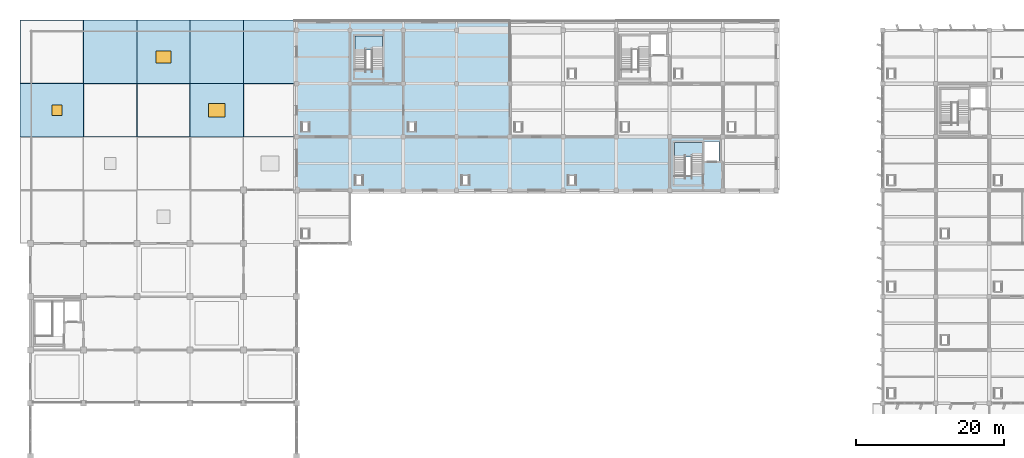
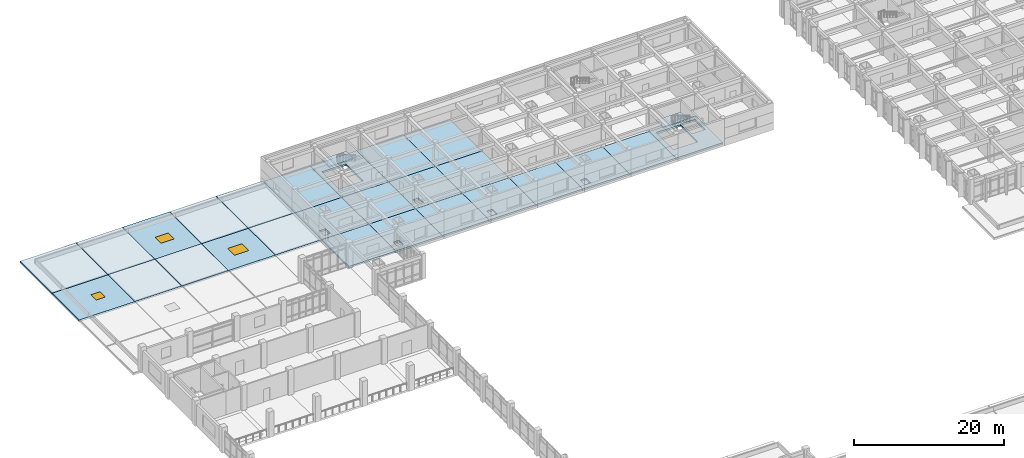
# One storey, part 38 of 62: 28 slabs, 3 windows, 3 openings, 2 elements without a shape of their own.
"""IFC4 building model written with IfcOpenShell, lengths in metres."""

from ifc_helpers import new_model, si_unit, direction, frame, origin, origin_2d, place, context, subcontext, project, spatial, polyline, rectangle, outline, extrude, material, layer, layer_set, type_object, element, fill, aggregate, save


model = new_model("IFC4")

# Units and contexts
model_context = context("Model", 3, precision=1e-05, world=origin(), true_north=direction((0.0, 1.0)))
body_context = subcontext(model_context, "Body", "Model", "MODEL_VIEW")
ifc_project = project(units=[si_unit("LENGTHUNIT", "METRE"), si_unit("AREAUNIT", "SQUARE_METRE"), si_unit("VOLUMEUNIT", "CUBIC_METRE"), si_unit("PLANEANGLEUNIT", "RADIAN"), si_unit("MASSUNIT", "GRAM", prefix="KILO")], contexts=[model_context])

# Site, building, storey
site_placement = place(None, origin())
site = spatial("IfcSite", under=ifc_project, at=site_placement, CompositionType="ELEMENT")
building_placement = place(site_placement, origin())
building = spatial("IfcBuilding", under=site, at=building_placement, Name="Kavelor Marine Aquarium", CompositionType="ELEMENT")
storey_placement = place(building_placement, frame((0.0, 0.0, 13.5)))
storey = spatial("IfcBuildingStorey", under=building, at=storey_placement, Name="L03", CompositionType="ELEMENT", Elevation=13.5)

# Stair, slab
ifc_material_1 = material(Name="Concrete C40/50", Category="concrete")
stair_type = type_object("IfcStairType", Name="ST-T4", PredefinedType="HALF_TURN_STAIR", material=ifc_material_1)
stair_1_placement = place(storey_placement, origin())
stair_1 = element("IfcStair", 1, at=stair_1_placement, inside=storey, type_object=stair_type, Name="Exit Stair ST05 (L03)", PredefinedType="HALF_TURN_STAIR")
ifc_material_2 = material(Name="Concrete C40/50", Category="concrete")
ifc_layer_1 = layer(ifc_material_2, 0.199951171875)
ifc_layer_set_1 = layer_set([ifc_layer_1], Name="LND-T4")
slab_type_1 = type_object("IfcSlabType", Name="LND-T4", PredefinedType="LANDING", material=ifc_layer_set_1)
slab_1_placement = place(storey_placement, frame((0.0, 0.0, 1.8701171875)))
slab_1 = element("IfcSlab", 2, at=slab_1_placement, type_object=slab_type_1, Name="ST05 landing 1", PredefinedType="LANDING", context=body_context, shape_type="SweptSolid", body=[
    extrude(outline(polyline([(47.06005859375, 108.114990234375), (50.820068359375, 108.114990234375), (50.820068359375, 110.06005859375), (47.06005859375, 110.06005859375), (47.06005859375, 108.114990234375)])), origin(), (0.0, 0.0, 1.0), 0.199951171875),
])
aggregate(stair_1, [slab_1])

stair_2_placement = place(storey_placement, origin())
stair_2 = element("IfcStair", 3, at=stair_2_placement, inside=storey, type_object=stair_type, Name="Exit Stair ST07 (L03)", PredefinedType="HALF_TURN_STAIR")
slab_2_placement = place(storey_placement, frame((0.0, 0.0, 1.8701171875)))
slab_2 = element("IfcSlab", 4, at=slab_2_placement, type_object=slab_type_1, Name="ST07 landing 1", PredefinedType="LANDING", context=body_context, shape_type="SweptSolid", body=[
    extrude(outline(polyline([(90.260009765625, 93.715087890625), (94.02001953125, 93.715087890625), (94.02001953125, 95.659912109375), (90.260009765625, 95.659912109375), (90.260009765625, 93.715087890625)])), origin(), (0.0, 0.0, 1.0), 0.199951171875),
])
aggregate(stair_2, [slab_2])

# Slabs
ifc_material_3 = material(Name="Concrete C40/50", Category="concrete")
ifc_layer_2 = layer(ifc_material_3, 0.300048828125)
ifc_layer_set_2 = layer_set([ifc_layer_2], Name="SL-FL1")
slab_type_2 = type_object("IfcSlabType", Name="SL-FL1", PredefinedType="FLOOR", material=ifc_layer_set_2)
slab_3_placement = place(storey_placement, frame((0.0, 0.0, -0.300048828125)))
element("IfcSlab", 5, at=slab_3_placement, inside=storey, type_object=slab_type_2, Name="slab:L03:05_13", PredefinedType="FLOOR", context=body_context, shape_type="SweptSolid", body=[
    extrude(outline(polyline([(39.199951171875, 96.39990234375), (46.39990234375, 96.39990234375), (46.39990234375, 103.60009765625), (39.199951171875, 103.60009765625), (39.199951171875, 96.39990234375)]), holes=[polyline([(39.949951171875, 97.14990234375), (40.85009765625, 97.14990234375), (40.85009765625, 98.35009765625), (39.949951171875, 98.35009765625), (39.949951171875, 97.14990234375)])]), origin(), (0.0, 0.0, 1.0), 0.300048828125),
])
slab_4_placement = place(storey_placement, frame((0.0, 0.0, -0.300048828125)))
element("IfcSlab", 6, at=slab_4_placement, inside=storey, type_object=slab_type_2, Name="slab:L03:06_12", PredefinedType="FLOOR", context=body_context, shape_type="SweptSolid", body=[
    extrude(outline(polyline([(46.39990234375, 89.199951171875), (53.60009765625, 89.199951171875), (53.60009765625, 96.39990234375), (46.39990234375, 96.39990234375), (46.39990234375, 89.199951171875)]), holes=[polyline([(47.14990234375, 89.949951171875), (48.050048828125, 89.949951171875), (48.050048828125, 91.14990234375), (47.14990234375, 91.14990234375), (47.14990234375, 89.949951171875)])]), origin(), (0.0, 0.0, 1.0), 0.300048828125),
])
slab_5_placement = place(storey_placement, frame((0.0, 0.0, -0.300048828125)))
element("IfcSlab", 7, at=slab_5_placement, inside=storey, type_object=slab_type_2, Name="slab:L03:06_14", PredefinedType="FLOOR", context=body_context, shape_type="SweptSolid", body=[
    extrude(outline(polyline([(46.39990234375, 103.60009765625), (53.60009765625, 103.60009765625), (53.60009765625, 112.0400390625), (46.39990234375, 112.0400390625), (46.39990234375, 103.60009765625)]), holes=[polyline([(47.080078125, 105.48291015625), (50.800048828125, 105.48291015625), (50.800048828125, 110.070068359375), (47.080078125, 110.070068359375), (47.080078125, 105.48291015625)])]), origin(), (0.0, 0.0, 1.0), 0.300048828125),
])
slab_6_placement = place(storey_placement, frame((0.0, 0.0, -0.300048828125)))
element("IfcSlab", 8, at=slab_6_placement, inside=storey, type_object=slab_type_2, Name="slab:L03:07_13", PredefinedType="FLOOR", context=body_context, shape_type="SweptSolid", body=[
    extrude(outline(polyline([(53.60009765625, 96.39990234375), (60.800048828125, 96.39990234375), (60.800048828125, 103.60009765625), (53.60009765625, 103.60009765625), (53.60009765625, 96.39990234375)]), holes=[polyline([(54.35009765625, 97.14990234375), (55.25, 97.14990234375), (55.25, 98.35009765625), (54.35009765625, 98.35009765625), (54.35009765625, 97.14990234375)])]), origin(), (0.0, 0.0, 1.0), 0.300048828125),
])
slab_7_placement = place(storey_placement, frame((0.0, 0.0, -0.300048828125)))
element("IfcSlab", 9, at=slab_7_placement, inside=storey, type_object=slab_type_2, Name="slab:L03:08_12", PredefinedType="FLOOR", context=body_context, shape_type="SweptSolid", body=[
    extrude(outline(polyline([(60.800048828125, 89.199951171875), (68.0, 89.199951171875), (68.0, 96.39990234375), (60.800048828125, 96.39990234375), (60.800048828125, 89.199951171875)]), holes=[polyline([(61.550048828125, 89.949951171875), (62.449951171875, 89.949951171875), (62.449951171875, 91.14990234375), (61.550048828125, 91.14990234375), (61.550048828125, 89.949951171875)])]), origin(), (0.0, 0.0, 1.0), 0.300048828125),
])
slab_8_placement = place(storey_placement, frame((0.0, 0.0, -0.300048828125)))
element("IfcSlab", 10, at=slab_8_placement, inside=storey, type_object=slab_type_2, Name="slab:L03:08_14", PredefinedType="FLOOR", context=body_context, shape_type="SweptSolid", body=[
    extrude(outline(polyline([(60.800048828125, 103.60009765625), (68.0, 103.60009765625), (68.0, 112.0400390625), (60.800048828125, 112.0400390625), (60.800048828125, 103.60009765625)])), origin(), (0.0, 0.0, 1.0), 0.300048828125),
])
slab_9_placement = place(storey_placement, frame((0.0, 0.0, -0.300048828125)))
element("IfcSlab", 11, at=slab_9_placement, inside=storey, type_object=slab_type_2, Name="slab:L03:10_12", PredefinedType="FLOOR", context=body_context, shape_type="SweptSolid", body=[
    extrude(outline(polyline([(75.199951171875, 89.199951171875), (82.39990234375, 89.199951171875), (82.39990234375, 96.39990234375), (75.199951171875, 96.39990234375), (75.199951171875, 89.199951171875)]), holes=[polyline([(75.949951171875, 89.949951171875), (76.85009765625, 89.949951171875), (76.85009765625, 91.14990234375), (75.949951171875, 91.14990234375), (75.949951171875, 89.949951171875)])]), origin(), (0.0, 0.0, 1.0), 0.300048828125),
])
slab_10_placement = place(storey_placement, frame((0.0, 0.0, -0.300048828125)))
element("IfcSlab", 12, at=slab_10_placement, inside=storey, type_object=slab_type_2, Name="slab:L03:12_12", PredefinedType="FLOOR", context=body_context, shape_type="SweptSolid", body=[
    extrude(outline(polyline([(89.60009765625, 89.199951171875), (96.800048828125, 89.199951171875), (96.800048828125, 96.39990234375), (89.60009765625, 96.39990234375), (89.60009765625, 89.199951171875)]), holes=[polyline([(90.280029296875, 91.0830078125), (94.0, 91.0830078125), (94.0, 95.669921875), (90.280029296875, 95.669921875), (90.280029296875, 91.0830078125)]), polyline([(94.260009765625, 93.050048828125), (96.300048828125, 93.050048828125), (96.300048828125, 95.75), (94.199951171875, 95.75), (94.260009765625, 93.050048828125)])]), origin(), (0.0, 0.0, 1.0), 0.300048828125),
])
ifc_material_4 = material(Name="Concrete C40/50", Category="concrete")
ifc_layer_3 = layer(ifc_material_4, 0.280029296875)
ifc_layer_set_3 = layer_set([ifc_layer_3], Name="SL-FL2")
slab_type_3 = type_object("IfcSlabType", Name="SL-FL2", PredefinedType="FLOOR", material=ifc_layer_set_3)
slab_11_placement = place(storey_placement, frame((0.0, 0.0, -0.280029296875)))
element("IfcSlab", 13, at=slab_11_placement, inside=storey, type_object=slab_type_3, Name="slab:L03:05_12", PredefinedType="FLOOR", context=body_context, shape_type="SweptSolid", body=[
    extrude(outline(polyline([(39.199951171875, 89.199951171875), (46.39990234375, 89.199951171875), (46.39990234375, 96.39990234375), (39.199951171875, 96.39990234375), (39.199951171875, 89.199951171875)])), origin(), (0.0, 0.0, 1.0), 0.280029296875),
])
slab_12_placement = place(storey_placement, frame((0.0, 0.0, -0.280029296875)))
element("IfcSlab", 14, at=slab_12_placement, inside=storey, type_object=slab_type_3, Name="slab:L03:05_14", PredefinedType="FLOOR", context=body_context, shape_type="SweptSolid", body=[
    extrude(outline(polyline([(39.199951171875, 103.60009765625), (46.39990234375, 103.60009765625), (46.39990234375, 112.0400390625), (39.199951171875, 112.0400390625), (39.199951171875, 103.60009765625)])), origin(), (0.0, 0.0, 1.0), 0.280029296875),
])
slab_13_placement = place(storey_placement, frame((0.0, 0.0, -0.280029296875)))
element("IfcSlab", 15, at=slab_13_placement, inside=storey, type_object=slab_type_3, Name="slab:L03:06_13", PredefinedType="FLOOR", context=body_context, shape_type="SweptSolid", body=[
    extrude(outline(polyline([(46.39990234375, 96.39990234375), (53.60009765625, 96.39990234375), (53.60009765625, 103.60009765625), (46.39990234375, 103.60009765625), (46.39990234375, 96.39990234375)])), origin(), (0.0, 0.0, 1.0), 0.280029296875),
])
slab_14_placement = place(storey_placement, frame((0.0, 0.0, -0.280029296875)))
element("IfcSlab", 16, at=slab_14_placement, inside=storey, type_object=slab_type_3, Name="slab:L03:07_12", PredefinedType="FLOOR", context=body_context, shape_type="SweptSolid", body=[
    extrude(outline(polyline([(53.60009765625, 89.199951171875), (60.800048828125, 89.199951171875), (60.800048828125, 96.39990234375), (53.60009765625, 96.39990234375), (53.60009765625, 89.199951171875)])), origin(), (0.0, 0.0, 1.0), 0.280029296875),
])
slab_15_placement = place(storey_placement, frame((0.0, 0.0, -0.280029296875)))
element("IfcSlab", 17, at=slab_15_placement, inside=storey, type_object=slab_type_3, Name="slab:L03:07_14", PredefinedType="FLOOR", context=body_context, shape_type="SweptSolid", body=[
    extrude(outline(polyline([(53.60009765625, 103.60009765625), (60.800048828125, 103.60009765625), (60.800048828125, 112.0400390625), (53.60009765625, 112.0400390625), (53.60009765625, 103.60009765625)])), origin(), (0.0, 0.0, 1.0), 0.280029296875),
])
slab_16_placement = place(storey_placement, frame((0.0, 0.0, -0.280029296875)))
element("IfcSlab", 18, at=slab_16_placement, inside=storey, type_object=slab_type_3, Name="slab:L03:08_13", PredefinedType="FLOOR", context=body_context, shape_type="SweptSolid", body=[
    extrude(outline(polyline([(60.800048828125, 96.39990234375), (68.0, 96.39990234375), (68.0, 103.60009765625), (60.800048828125, 103.60009765625), (60.800048828125, 96.39990234375)])), origin(), (0.0, 0.0, 1.0), 0.280029296875),
])
slab_17_placement = place(storey_placement, frame((0.0, 0.0, -0.280029296875)))
element("IfcSlab", 19, at=slab_17_placement, inside=storey, type_object=slab_type_3, Name="slab:L03:09_12", PredefinedType="FLOOR", context=body_context, shape_type="SweptSolid", body=[
    extrude(outline(polyline([(68.0, 89.199951171875), (75.199951171875, 89.199951171875), (75.199951171875, 96.39990234375), (68.0, 96.39990234375), (68.0, 89.199951171875)])), origin(), (0.0, 0.0, 1.0), 0.280029296875),
])
slab_18_placement = place(storey_placement, frame((0.0, 0.0, -0.280029296875)))
element("IfcSlab", 20, at=slab_18_placement, inside=storey, type_object=slab_type_3, Name="slab:L03:11_12", PredefinedType="FLOOR", context=body_context, shape_type="SweptSolid", body=[
    extrude(outline(polyline([(82.39990234375, 89.199951171875), (89.60009765625, 89.199951171875), (89.60009765625, 96.39990234375), (82.39990234375, 96.39990234375), (82.39990234375, 89.199951171875)])), origin(), (0.0, 0.0, 1.0), 0.280029296875),
])

# Slab, opening, window
ifc_material_5 = material(Name="Concrete C40/50", Category="concrete")
ifc_layer_4 = layer(ifc_material_5, 0.280029296875)
ifc_layer_set_4 = layer_set([ifc_layer_4], Name="SL-RF1")
slab_type_4 = type_object("IfcSlabType", Name="SL-RF1", PredefinedType="ROOF", material=ifc_layer_set_4)
slab_19_placement = place(storey_placement, frame((0.0, 0.0, -0.280029296875)))
slab_19 = element("IfcSlab", 21, at=slab_19_placement, inside=storey, type_object=slab_type_4, Name="roof:L03:00_13", PredefinedType="ROOF", context=body_context, shape_type="SweptSolid", body=[
    extrude(outline(polyline([(1.800048828125, 96.39990234375), (10.39990234375, 96.39990234375), (10.39990234375, 103.60009765625), (1.800048828125, 103.60009765625), (1.800048828125, 96.39990234375)])), origin(), (0.0, 0.0, 1.0), 0.280029296875),
])
opening_1_placement = place(slab_19_placement, frame((6.800048828125, 100.0, 0.0)))
opening_1 = element("IfcOpeningElement", 22, at=opening_1_placement, cuts=slab_19, Name="Opening SK1", PredefinedType="OPENING", context=body_context, shape_type="SweptSolid", body=[
    extrude(rectangle(XDim=1.39990234375, YDim=1.39990234375, at=origin_2d()), origin(), (0.0, 0.0, 1.0), 0.280029296875),
])
ifc_material_6 = material(Name="Thermally Broken Aluminium Roof Skylight", Category="aluminium")
window_type_1 = type_object("IfcWindowType", Name="SKY-SK1", PartitioningType="SINGLE_PANEL", PredefinedType="SKYLIGHT", material=ifc_material_6)
window_1_placement = place(opening_1_placement, frame((0.0, 0.0, 0.22998046875)))
window_1 = element("IfcWindow", 23, at=window_1_placement, inside=storey, type_object=window_type_1, Name="sky:L03:00_13", OverallHeight=1.39990234375, OverallWidth=1.39990234375, PartitioningType="SINGLE_PANEL", PredefinedType="SKYLIGHT", context=body_context, shape_type="SweptSolid", body=[
    extrude(rectangle(XDim=1.39990234375, YDim=1.39990234375, at=origin_2d()), origin(), (0.0, 0.0, 1.0), 0.050048828125),
])
fill(opening_1, window_1)

# Slabs
slab_20_placement = place(storey_placement, frame((0.0, 0.0, -0.280029296875)))
element("IfcSlab", 24, at=slab_20_placement, inside=storey, type_object=slab_type_4, Name="roof:L03:00_14", PredefinedType="ROOF", context=body_context, shape_type="SweptSolid", body=[
    extrude(outline(polyline([(1.800048828125, 103.60009765625), (10.39990234375, 103.60009765625), (10.39990234375, 112.199951171875), (1.800048828125, 112.199951171875), (1.800048828125, 103.60009765625)])), origin(), (0.0, 0.0, 1.0), 0.280029296875),
])
slab_21_placement = place(storey_placement, frame((0.0, 0.0, -0.280029296875)))
element("IfcSlab", 25, at=slab_21_placement, inside=storey, type_object=slab_type_4, Name="roof:L03:01_13", PredefinedType="ROOF", context=body_context, shape_type="SweptSolid", body=[
    extrude(outline(polyline([(10.39990234375, 96.39990234375), (17.60009765625, 96.39990234375), (17.60009765625, 103.60009765625), (10.39990234375, 103.60009765625), (10.39990234375, 96.39990234375)])), origin(), (0.0, 0.0, 1.0), 0.280029296875),
])
slab_22_placement = place(storey_placement, frame((0.0, 0.0, -0.280029296875)))
element("IfcSlab", 26, at=slab_22_placement, inside=storey, type_object=slab_type_4, Name="roof:L03:01_14", PredefinedType="ROOF", context=body_context, shape_type="SweptSolid", body=[
    extrude(outline(polyline([(10.39990234375, 103.60009765625), (17.60009765625, 103.60009765625), (17.60009765625, 112.199951171875), (10.39990234375, 112.199951171875), (10.39990234375, 103.60009765625)])), origin(), (0.0, 0.0, 1.0), 0.280029296875),
])
slab_23_placement = place(storey_placement, frame((0.0, 0.0, -0.280029296875)))
element("IfcSlab", 27, at=slab_23_placement, inside=storey, type_object=slab_type_4, Name="roof:L03:02_13", PredefinedType="ROOF", context=body_context, shape_type="SweptSolid", body=[
    extrude(outline(polyline([(17.60009765625, 96.39990234375), (24.800048828125, 96.39990234375), (24.800048828125, 103.60009765625), (17.60009765625, 103.60009765625), (17.60009765625, 96.39990234375)])), origin(), (0.0, 0.0, 1.0), 0.280029296875),
])

# Slab, opening, window
slab_24_placement = place(storey_placement, frame((0.0, 0.0, -0.280029296875)))
slab_24 = element("IfcSlab", 28, at=slab_24_placement, inside=storey, type_object=slab_type_4, Name="roof:L03:02_14", PredefinedType="ROOF", context=body_context, shape_type="SweptSolid", body=[
    extrude(outline(polyline([(17.60009765625, 103.60009765625), (24.800048828125, 103.60009765625), (24.800048828125, 112.199951171875), (17.60009765625, 112.199951171875), (17.60009765625, 103.60009765625)])), origin(), (0.0, 0.0, 1.0), 0.280029296875),
])
opening_2_placement = place(slab_24_placement, frame((21.199951171875, 107.199951171875, 0.0)))
opening_2 = element("IfcOpeningElement", 29, at=opening_2_placement, cuts=slab_24, Name="Opening SK4", PredefinedType="OPENING", context=body_context, shape_type="SweptSolid", body=[
    extrude(rectangle(XDim=2.0, YDim=1.60009765625, at=origin_2d()), origin(), (0.0, 0.0, 1.0), 0.280029296875),
])
ifc_material_7 = material(Name="Thermally Broken Aluminium Roof Skylight", Category="aluminium")
window_type_2 = type_object("IfcWindowType", Name="SKY-SK4", PartitioningType="SINGLE_PANEL", PredefinedType="SKYLIGHT", material=ifc_material_7)
window_2_placement = place(opening_2_placement, frame((0.0, 0.0, 0.22998046875)))
window_2 = element("IfcWindow", 30, at=window_2_placement, inside=storey, type_object=window_type_2, Name="sky:L03:02_14", OverallHeight=1.60009765625, OverallWidth=2.0, PartitioningType="SINGLE_PANEL", PredefinedType="SKYLIGHT", context=body_context, shape_type="SweptSolid", body=[
    extrude(rectangle(XDim=2.0, YDim=1.60009765625, at=origin_2d()), origin(), (0.0, 0.0, 1.0), 0.050048828125),
])
fill(opening_2, window_2)

slab_25_placement = place(storey_placement, frame((0.0, 0.0, -0.280029296875)))
slab_25 = element("IfcSlab", 31, at=slab_25_placement, inside=storey, type_object=slab_type_4, Name="roof:L03:03_13", PredefinedType="ROOF", context=body_context, shape_type="SweptSolid", body=[
    extrude(outline(polyline([(24.800048828125, 96.39990234375), (32.0, 96.39990234375), (32.0, 103.60009765625), (24.800048828125, 103.60009765625), (24.800048828125, 96.39990234375)])), origin(), (0.0, 0.0, 1.0), 0.280029296875),
])
opening_3_placement = place(slab_25_placement, frame((28.39990234375, 100.0, 0.0)))
opening_3 = element("IfcOpeningElement", 32, at=opening_3_placement, cuts=slab_25, Name="Opening SK5", PredefinedType="OPENING", context=body_context, shape_type="SweptSolid", body=[
    extrude(rectangle(XDim=2.199951171875, YDim=1.800048828125, at=origin_2d()), origin(), (0.0, 0.0, 1.0), 0.280029296875),
])
ifc_material_8 = material(Name="Thermally Broken Aluminium Roof Skylight", Category="aluminium")
window_type_3 = type_object("IfcWindowType", Name="SKY-SK5", PartitioningType="SINGLE_PANEL", PredefinedType="SKYLIGHT", material=ifc_material_8)
window_3_placement = place(opening_3_placement, frame((0.0, 0.0, 0.22998046875)))
window_3 = element("IfcWindow", 33, at=window_3_placement, inside=storey, type_object=window_type_3, Name="sky:L03:03_13", OverallHeight=1.800048828125, OverallWidth=2.199951171875, PartitioningType="SINGLE_PANEL", PredefinedType="SKYLIGHT", context=body_context, shape_type="SweptSolid", body=[
    extrude(rectangle(XDim=2.199951171875, YDim=1.800048828125, at=origin_2d()), origin(), (0.0, 0.0, 1.0), 0.050048828125),
])
fill(opening_3, window_3)

# Slabs
slab_26_placement = place(storey_placement, frame((0.0, 0.0, -0.280029296875)))
element("IfcSlab", 34, at=slab_26_placement, inside=storey, type_object=slab_type_4, Name="roof:L03:03_14", PredefinedType="ROOF", context=body_context, shape_type="SweptSolid", body=[
    extrude(outline(polyline([(24.800048828125, 103.60009765625), (32.0, 103.60009765625), (32.0, 112.199951171875), (24.800048828125, 112.199951171875), (24.800048828125, 103.60009765625)])), origin(), (0.0, 0.0, 1.0), 0.280029296875),
])
slab_27_placement = place(storey_placement, frame((0.0, 0.0, -0.280029296875)))
element("IfcSlab", 35, at=slab_27_placement, inside=storey, type_object=slab_type_4, Name="roof:L03:04_13", PredefinedType="ROOF", context=body_context, shape_type="SweptSolid", body=[
    extrude(outline(polyline([(32.0, 96.39990234375), (39.199951171875, 96.39990234375), (39.199951171875, 103.60009765625), (32.0, 103.60009765625), (32.0, 96.39990234375)])), origin(), (0.0, 0.0, 1.0), 0.280029296875),
])
slab_28_placement = place(storey_placement, frame((0.0, 0.0, -0.280029296875)))
element("IfcSlab", 36, at=slab_28_placement, inside=storey, type_object=slab_type_4, Name="roof:L03:04_14", PredefinedType="ROOF", context=body_context, shape_type="SweptSolid", body=[
    extrude(outline(polyline([(32.0, 103.60009765625), (39.199951171875, 103.60009765625), (39.199951171875, 112.199951171875), (32.0, 112.199951171875), (32.0, 103.60009765625)])), origin(), (0.0, 0.0, 1.0), 0.280029296875),
])

save(model, "model.ifc")
